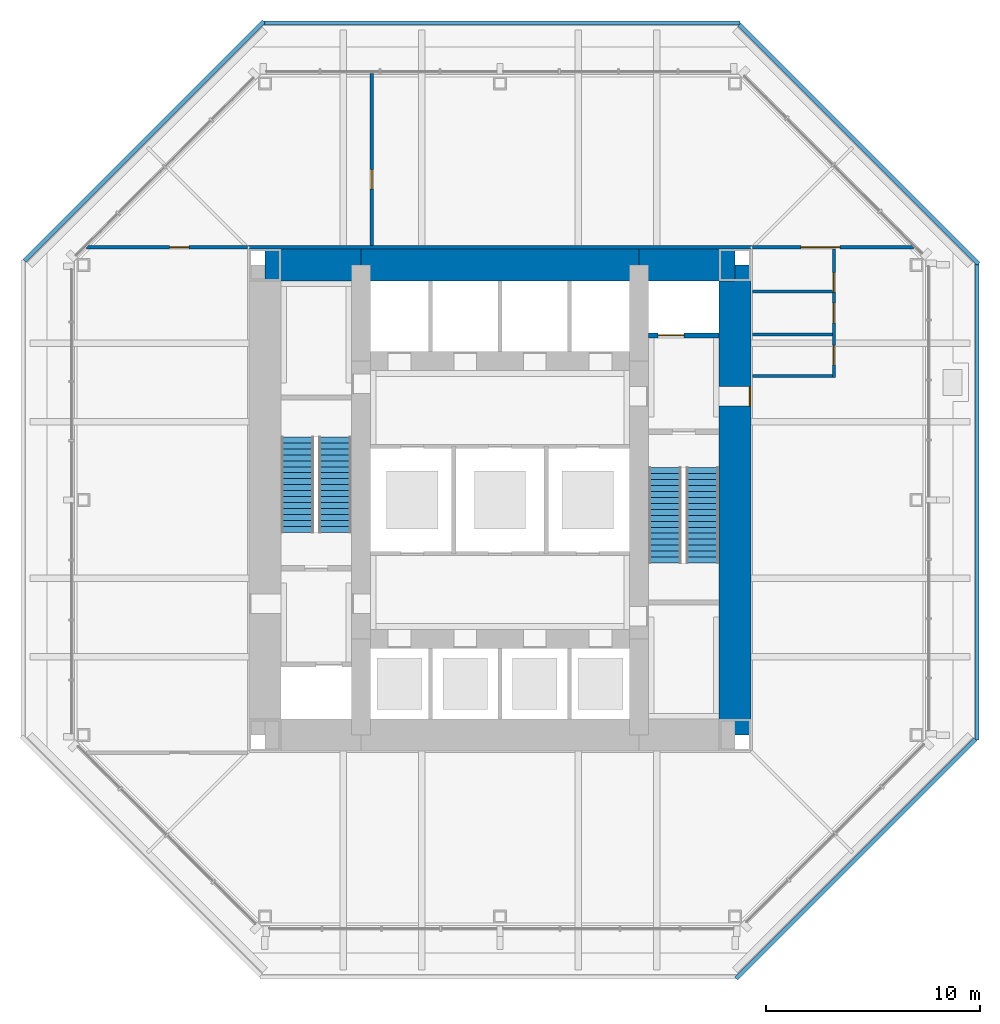
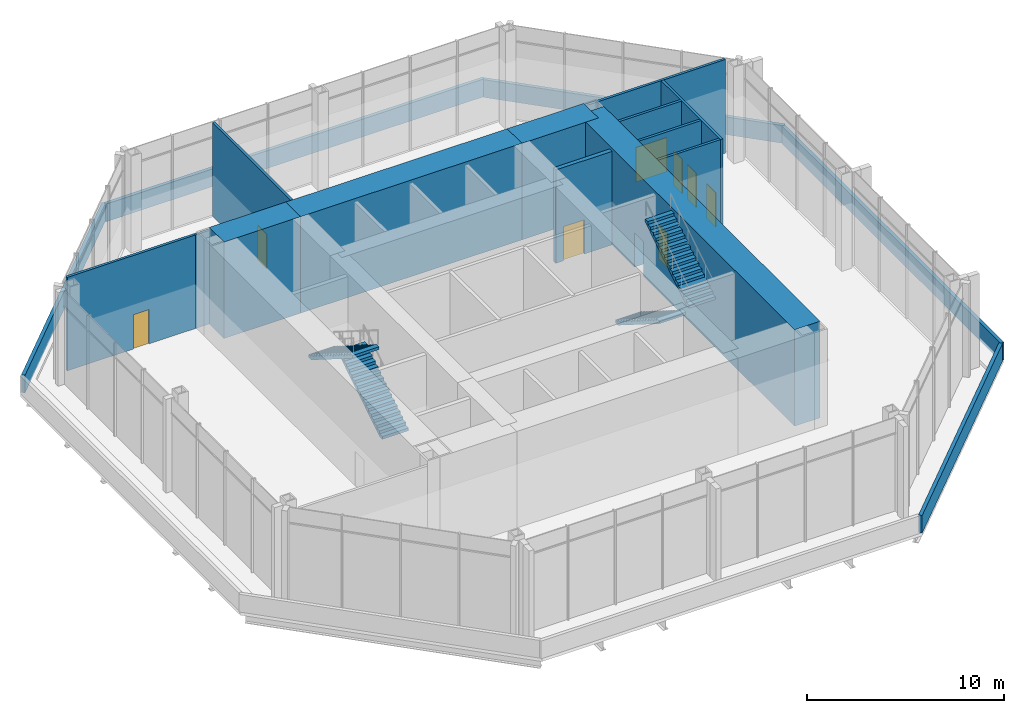
# One storey, part 8 of 10: 18 walls, 8 doors, 4 stair flights, 8 openings, 2 elements without a shape of their own.
"""IFC4 building model written with IfcOpenShell, lengths in metres."""

from ifc_helpers import new_model, si_unit, direction, frame, frame_2d, origin, place, context, subcontext, project, spatial, polyline, rectangle, outline, extrude, material, layer, layer_set, type_object, element, fill, aggregate, save


model = new_model("IFC4")

# Units and contexts
model_context = context("Model", 3, precision=1e-05, world=origin(), true_north=direction((0.0, 1.0)))
body_context = subcontext(model_context, "Body", "Model", "MODEL_VIEW")
ifc_project = project(units=[si_unit("LENGTHUNIT", "METRE"), si_unit("AREAUNIT", "SQUARE_METRE"), si_unit("VOLUMEUNIT", "CUBIC_METRE"), si_unit("PLANEANGLEUNIT", "RADIAN"), si_unit("MASSUNIT", "GRAM", prefix="KILO")], contexts=[model_context])

# Site, building, storey
site_placement = place(None, origin())
site = spatial("IfcSite", under=ifc_project, at=site_placement, CompositionType="ELEMENT")
building_placement = place(site_placement, origin())
building = spatial("IfcBuilding", under=site, at=building_placement, Name="Trevanion Tower", CompositionType="ELEMENT")
storey_placement = place(building_placement, frame((0.0, 0.0, 184.699951171875)))
storey = spatial("IfcBuildingStorey", under=building, at=storey_placement, Name="L43", CompositionType="ELEMENT", Elevation=184.699951171875)

# Wall, opening, door
ifc_material_1 = material(Name="Concrete 10,000 psi", Category="concrete")
ifc_layer_1 = layer(ifc_material_1, 1.5)
ifc_layer_set_1 = layer_set([ifc_layer_1], Name="CW1 core wall 1500")
wall_type_1 = type_object("IfcWallType", Name="CW1 core wall 1500", PredefinedType="SHEAR", material=ifc_layer_set_1)
wall_1_placement = place(storey_placement, frame((11.0, -11.0, 0.0), z_axis=(0.0, 0.0, 1.0), x_axis=(0.0, 1.0, 0.0)))
wall_1 = element("IfcWall", 1, at=wall_1_placement, inside=storey, type_object=wall_type_1, Name="CW1 CE L43", PredefinedType="SHEAR", context=body_context, shape_type="SweptSolid", body=[
    extrude(rectangle(XDim=22.0, YDim=1.5, at=frame_2d((11.0, 0.0))), origin(), (0.0, 0.0, 1.0), 6.0),
])
opening_1_placement = place(wall_1_placement, frame((15.392578125, 0.0, 0.0)))
opening_1 = element("IfcOpeningElement", 2, at=opening_1_placement, cuts=wall_1, Name="Opening 43-001", PredefinedType="OPENING", context=body_context, shape_type="SweptSolid", body=[
    extrude(rectangle(XDim=0.9150390625, YDim=2.134033203125, at=frame_2d((0.45751953125, 1.06689453125))), frame((0.0, 0.760009765625, 0.0), z_axis=(0.0, -1.0, 0.0), x_axis=(1.0, 0.0, 0.0)), (0.0, 0.0, 1.0), 1.52001953125),
])
ifc_material_2 = material(Name="Hollow metal, fire rated", Category="steel")
door_type_1 = type_object("IfcDoorType", Name="D3 fire lift lobby door", OperationType="SINGLE_SWING_RIGHT", PredefinedType="DOOR", material=ifc_material_2)
door_1_placement = place(opening_1_placement, origin())
door_1 = element("IfcDoor", 3, at=door_1_placement, inside=storey, type_object=door_type_1, Name="Door 43-001", OperationType="SINGLE_SWING_RIGHT", OverallHeight=2.134033203125, OverallWidth=0.9150390625, PredefinedType="DOOR", context=body_context, shape_type="SweptSolid", body=[
    extrude(rectangle(XDim=0.9150390625, YDim=2.134033203125, at=frame_2d((0.45751953125, 1.06689453125))), frame((0.0, -0.6748046875, 0.0), z_axis=(0.0, -1.0, 0.0), x_axis=(1.0, 0.0, 0.0)), (0.0, 0.0, 1.0), 0.050048828125),
])
fill(opening_1, door_1)

# Walls
wall_2_placement = place(storey_placement, frame((11.0, 11.0, 0.0), z_axis=(0.0, 0.0, 1.0), x_axis=(-1.0, 0.0, 0.0)))
element("IfcWall", 4, at=wall_2_placement, inside=storey, type_object=wall_type_1, Name="CW1 CN1 L43", PredefinedType="SHEAR", context=body_context, shape_type="SweptSolid", body=[
    extrude(rectangle(XDim=4.5, YDim=1.5, at=frame_2d((2.25, 0.0))), origin(), (0.0, 0.0, 1.0), 6.0),
])
wall_3_placement = place(storey_placement, frame((6.5, 11.0, 0.0), z_axis=(0.0, 0.0, 1.0), x_axis=(-1.0, 0.0, 0.0)))
element("IfcWall", 5, at=wall_3_placement, inside=storey, type_object=wall_type_1, Name="CW1 CN2 L43", PredefinedType="SHEAR", context=body_context, shape_type="SweptSolid", body=[
    extrude(rectangle(XDim=13.0, YDim=1.5, at=frame_2d((6.5, 0.0))), origin(), (0.0, 0.0, 1.0), 6.0),
])
wall_4_placement = place(storey_placement, frame((-6.5, 11.0, 0.0), z_axis=(0.0, 0.0, 1.0), x_axis=(-1.0, 0.0, 0.0)))
element("IfcWall", 6, at=wall_4_placement, inside=storey, type_object=wall_type_1, Name="CW1 CN3 L43", PredefinedType="SHEAR", context=body_context, shape_type="SweptSolid", body=[
    extrude(rectangle(XDim=4.5, YDim=1.5, at=frame_2d((2.25, 0.0))), origin(), (0.0, 0.0, 1.0), 6.0),
])
ifc_material_3 = material(Name="Reinforced concrete parapet faced in bronze metal coping", Category="concrete")
ifc_layer_2 = layer(ifc_material_3, 0.199951171875)
ifc_layer_set_2 = layer_set([ifc_layer_2], Name="PP1 parapet 200")
wall_type_2 = type_object("IfcWallType", Name="PP1 parapet 200", PredefinedType="PARAPET", material=ifc_layer_set_2)
for number, where, z_axis, x_axis, name in (
    (7, (22.249267578125, -11.203369140625, 0.0), (0.0, 0.0, 1.0), (-0.707114496692, -0.707099065597, 0.0), "PP1 L43 1"),
    (8, (-22.249267578125, 11.203369140625, 0.0), (0.0, 0.0, 1.0), (0.707114496692, 0.707099065597, 0.0), "PP1 L43 5"),
):
    element("IfcWall", number, at=place(storey_placement, frame(where, z_axis=z_axis, x_axis=x_axis)), inside=storey, type_object=wall_type_2, Name=name, PredefinedType="PARAPET", context=body_context, shape_type="SweptSolid", body=[
        extrude(rectangle(XDim=15.8212890625, YDim=0.199951171875, at=frame_2d((7.91064453125, 0.0))), origin(), (0.0, 0.0, 1.0), 1.10009765625),
    ])
wall_5_placement = place(storey_placement, frame((-11.032470703125, 22.320068359375, 0.0), z_axis=(0.0, 0.0, 1.0), x_axis=(1.0, 0.0, 0.0)))
element("IfcWall", 9, at=wall_5_placement, inside=storey, type_object=wall_type_2, Name="PP1 L43 6", PredefinedType="PARAPET", context=body_context, shape_type="SweptSolid", body=[
    extrude(rectangle(XDim=22.264892578125, YDim=0.199951171875, at=frame_2d((11.13232421875, 0.0))), origin(), (0.0, 0.0, 1.0), 1.10009765625),
])
wall_6_placement = place(storey_placement, frame((11.203369140625, 22.249267578125, 0.0), z_axis=(0.0, 0.0, 1.0), x_axis=(0.707099065597, -0.707114496692, 0.0)))
element("IfcWall", 10, at=wall_6_placement, inside=storey, type_object=wall_type_2, Name="PP1 L43 7", PredefinedType="PARAPET", context=body_context, shape_type="SweptSolid", body=[
    extrude(rectangle(XDim=15.8212890625, YDim=0.199951171875, at=frame_2d((7.91064453125, 0.0))), origin(), (0.0, 0.0, 1.0), 1.10009765625),
])
wall_7_placement = place(storey_placement, frame((22.320068359375, 11.032470703125, 0.0), z_axis=(0.0, 0.0, 1.0), x_axis=(0.0, -1.0, 0.0)))
element("IfcWall", 11, at=wall_7_placement, inside=storey, type_object=wall_type_2, Name="PP1 L43 8", PredefinedType="PARAPET", context=body_context, shape_type="SweptSolid", body=[
    extrude(rectangle(XDim=22.264892578125, YDim=0.199951171875, at=frame_2d((11.13232421875, 0.0))), origin(), (0.0, 0.0, 1.0), 1.10009765625),
])

# Wall, opening, door
ifc_material_4 = material(Name="Gypsum board on steel studs", Category="steel")
ifc_layer_3 = layer(ifc_material_4, 0.14990234375)
ifc_layer_set_3 = layer_set([ifc_layer_3], Name="PT1 partition 150")
wall_type_3 = type_object("IfcWallType", Name="PT1 partition 150", PredefinedType="PARTITIONING", material=ifc_layer_set_3)
wall_8_placement = place(storey_placement, frame((11.824951171875, 11.824951171875, 0.0), z_axis=(0.0, 0.0, 1.0), x_axis=(1.0, 0.0, 0.0)))
wall_8 = element("IfcWall", 12, at=wall_8_placement, inside=storey, type_object=wall_type_3, Name="PT1 L43 HOE2", PredefinedType="PARTITIONING", context=body_context, shape_type="SweptSolid", body=[
    extrude(rectangle(XDim=7.512939453125, YDim=0.14990234375, at=frame_2d((3.75634765625, 0.0))), origin(), (0.0, 0.0, 1.0), 5.81005859375),
])
opening_2_placement = place(wall_8_placement, frame((2.260009765625, 0.0, 0.0)))
opening_2 = element("IfcOpeningElement", 13, at=opening_2_placement, cuts=wall_8, Name="Opening 43-025", PredefinedType="OPENING", context=body_context, shape_type="SweptSolid", body=[
    extrude(rectangle(XDim=1.830078125, YDim=2.134033203125, at=frame_2d((0.9150390625, 1.06689453125))), frame((0.0, 0.0849609375, 0.0), z_axis=(0.0, -1.0, 0.0), x_axis=(1.0, 0.0, 0.0)), (0.0, 0.0, 1.0), 0.169921875),
])
ifc_material_5 = material(Name="Timber veneer, solid core", Category="wood")
door_type_2 = type_object("IfcDoorType", Name="D20 lounge double door", OperationType="DOUBLE_DOOR_DOUBLE_SWING", PredefinedType="DOOR", material=ifc_material_5)
door_2_placement = place(opening_2_placement, origin())
door_2 = element("IfcDoor", 14, at=door_2_placement, inside=storey, type_object=door_type_2, Name="Door 43-025", OperationType="DOUBLE_DOOR_DOUBLE_SWING", OverallHeight=2.134033203125, OverallWidth=1.830078125, PredefinedType="DOOR", context=body_context, shape_type="SweptSolid", body=[
    extrude(rectangle(XDim=1.830078125, YDim=2.134033203125, at=frame_2d((0.9150390625, 1.06689453125))), frame((0.0, 0.02490234375, 0.0), z_axis=(0.0, -1.0, 0.0), x_axis=(1.0, 0.0, 0.0)), (0.0, 0.0, 1.0), 0.050048828125),
])
fill(opening_2, door_2)

wall_9_placement = place(storey_placement, frame((-11.824951171875, 11.824951171875, 0.0), z_axis=(0.0, 0.0, 1.0), x_axis=(-1.0, 0.0, 0.0)))
wall_9 = element("IfcWall", 15, at=wall_9_placement, inside=storey, type_object=wall_type_3, Name="PT1 L43 HOW1", PredefinedType="PARTITIONING", context=body_context, shape_type="SweptSolid", body=[
    extrude(rectangle(XDim=7.512939453125, YDim=0.14990234375, at=frame_2d((3.75634765625, 0.0))), origin(), (0.0, 0.0, 1.0), 5.81005859375),
])
opening_3_placement = place(wall_9_placement, frame((2.717529296875, 0.0, 0.0)))
opening_3 = element("IfcOpeningElement", 16, at=opening_3_placement, cuts=wall_9, Name="Opening 43-026", PredefinedType="OPENING", context=body_context, shape_type="SweptSolid", body=[
    extrude(rectangle(XDim=0.9150390625, YDim=2.134033203125, at=frame_2d((0.45751953125, 1.06689453125))), frame((0.0, 0.0849609375, 0.0), z_axis=(0.0, -1.0, 0.0), x_axis=(1.0, 0.0, 0.0)), (0.0, 0.0, 1.0), 0.169921875),
])
ifc_material_6 = material(Name="Timber veneer, solid core", Category="wood")
door_type_3 = type_object("IfcDoorType", Name="D1 office and meeting room door", OperationType="SINGLE_SWING_LEFT", PredefinedType="DOOR", material=ifc_material_6)
door_3_placement = place(opening_3_placement, origin())
door_3 = element("IfcDoor", 17, at=door_3_placement, inside=storey, type_object=door_type_3, Name="Door 43-026", OperationType="SINGLE_SWING_LEFT", OverallHeight=2.134033203125, OverallWidth=0.9150390625, PredefinedType="DOOR", context=body_context, shape_type="SweptSolid", body=[
    extrude(rectangle(XDim=0.9150390625, YDim=2.134033203125, at=frame_2d((0.45751953125, 1.06689453125))), frame((0.0, 0.02490234375, 0.0), z_axis=(0.0, -1.0, 0.0), x_axis=(1.0, 0.0, 0.0)), (0.0, 0.0, 1.0), 0.050048828125),
])
fill(opening_3, door_3)

# Wall
wall_10_placement = place(storey_placement, frame((-11.824951171875, 11.824951171875, 0.0), z_axis=(0.0, 0.0, 1.0), x_axis=(1.0, 0.0, 0.0)))
element("IfcWall", 18, at=wall_10_placement, inside=storey, type_object=wall_type_3, Name="PT1 L43 HOR1", PredefinedType="PARTITIONING", context=body_context, shape_type="SweptSolid", body=[
    extrude(rectangle(XDim=23.64990234375, YDim=0.14990234375, at=frame_2d((11.824951171875, 0.0))), origin(), (0.0, 0.0, 1.0), 5.81005859375),
])

# Wall, openings, doors
wall_11_placement = place(storey_placement, frame((15.625, 5.72509765625, 0.0), z_axis=(0.0, 0.0, 1.0), x_axis=(0.0, 1.0, 0.0)))
wall_11 = element("IfcWall", 19, at=wall_11_placement, inside=storey, type_object=wall_type_3, Name="PT1 L43 GT0", PredefinedType="PARTITIONING", context=body_context, shape_type="SweptSolid", body=[
    extrude(rectangle(XDim=6.02490234375, YDim=0.14990234375, at=frame_2d((3.012451171875, 0.0))), origin(), (0.0, 0.0, 1.0), 5.81005859375),
])
opening_4_placement = place(wall_11_placement, frame((0.592529296875, 0.0, 0.0)))
opening_4 = element("IfcOpeningElement", 20, at=opening_4_placement, cuts=wall_11, Name="Opening 43-028", PredefinedType="OPENING", context=body_context, shape_type="SweptSolid", body=[
    extrude(rectangle(XDim=0.9150390625, YDim=2.134033203125, at=frame_2d((0.45751953125, 1.06689453125))), frame((0.0, 0.0849609375, 0.0), z_axis=(0.0, -1.0, 0.0), x_axis=(1.0, 0.0, 0.0)), (0.0, 0.0, 1.0), 0.169921875),
])
opening_5_placement = place(wall_11_placement, frame((2.5673828125, 0.0, 0.0)))
opening_5 = element("IfcOpeningElement", 21, at=opening_5_placement, cuts=wall_11, Name="Opening 43-029", PredefinedType="OPENING", context=body_context, shape_type="SweptSolid", body=[
    extrude(rectangle(XDim=0.9150390625, YDim=2.134033203125, at=frame_2d((0.45751953125, 1.06689453125))), frame((0.0, 0.0849609375, 0.0), z_axis=(0.0, -1.0, 0.0), x_axis=(1.0, 0.0, 0.0)), (0.0, 0.0, 1.0), 0.169921875),
])
opening_6_placement = place(wall_11_placement, frame((4.0048828125, 0.0, 0.0)))
opening_6 = element("IfcOpeningElement", 22, at=opening_6_placement, cuts=wall_11, Name="Opening 43-030", PredefinedType="OPENING", context=body_context, shape_type="SweptSolid", body=[
    extrude(rectangle(XDim=0.9150390625, YDim=2.134033203125, at=frame_2d((0.45751953125, 1.06689453125))), frame((0.0, 0.0849609375, 0.0), z_axis=(0.0, -1.0, 0.0), x_axis=(1.0, 0.0, 0.0)), (0.0, 0.0, 1.0), 0.169921875),
])
ifc_material_7 = material(Name="Plastic laminate on solid core", Category="wood")
door_type_4 = type_object("IfcDoorType", Name="D4 toilet door", OperationType="SINGLE_SWING_LEFT", PredefinedType="DOOR", material=ifc_material_7)
door_4_placement = place(opening_4_placement, origin())
door_4 = element("IfcDoor", 23, at=door_4_placement, inside=storey, type_object=door_type_4, Name="Door 43-028", OperationType="SINGLE_SWING_LEFT", OverallHeight=2.134033203125, OverallWidth=0.9150390625, PredefinedType="DOOR", context=body_context, shape_type="SweptSolid", body=[
    extrude(rectangle(XDim=0.9150390625, YDim=2.134033203125, at=frame_2d((0.45751953125, 1.06689453125))), frame((0.0, 0.02490234375, 0.0), z_axis=(0.0, -1.0, 0.0), x_axis=(1.0, 0.0, 0.0)), (0.0, 0.0, 1.0), 0.050048828125),
])
fill(opening_4, door_4)
door_5_placement = place(opening_5_placement, origin())
door_5 = element("IfcDoor", 24, at=door_5_placement, inside=storey, type_object=door_type_4, Name="Door 43-029", OperationType="SINGLE_SWING_LEFT", OverallHeight=2.134033203125, OverallWidth=0.9150390625, PredefinedType="DOOR", context=body_context, shape_type="SweptSolid", body=[
    extrude(rectangle(XDim=0.9150390625, YDim=2.134033203125, at=frame_2d((0.45751953125, 1.06689453125))), frame((0.0, 0.02490234375, 0.0), z_axis=(0.0, -1.0, 0.0), x_axis=(1.0, 0.0, 0.0)), (0.0, 0.0, 1.0), 0.050048828125),
])
fill(opening_5, door_5)
door_6_placement = place(opening_6_placement, frame((0.9150390625, 0.0, 0.0), z_axis=(0.0, 0.0, 1.0), x_axis=(-1.0, 0.0, 0.0)))
door_6 = element("IfcDoor", 25, at=door_6_placement, inside=storey, type_object=door_type_4, Name="Door 43-030", OperationType="SINGLE_SWING_LEFT", OverallHeight=2.134033203125, OverallWidth=0.9150390625, PredefinedType="DOOR", context=body_context, shape_type="SweptSolid", body=[
    extrude(rectangle(XDim=0.9150390625, YDim=2.134033203125, at=frame_2d((0.45751953125, 1.06689453125))), frame((0.0, 0.02490234375, 0.0), z_axis=(0.0, -1.0, 0.0), x_axis=(1.0, 0.0, 0.0)), (0.0, 0.0, 1.0), 0.050048828125),
])
fill(opening_6, door_6)

# Walls
for number, where, z_axis, x_axis, name in (
    (26, (11.824951171875, 5.800048828125, 0.0), (0.0, 0.0, 1.0), (1.0, 0.0, 0.0), "PT1 L43 GT1"),
    (27, (11.824951171875, 7.75, 0.0), (0.0, 0.0, 1.0), (1.0, 0.0, 0.0), "PT1 L43 GT2"),
    (28, (11.824951171875, 9.75, 0.0), (0.0, 0.0, 1.0), (1.0, 0.0, 0.0), "PT1 L43 GT3"),
):
    element("IfcWall", number, at=place(storey_placement, frame(where, z_axis=z_axis, x_axis=x_axis)), inside=storey, type_object=wall_type_3, Name=name, PredefinedType="PARTITIONING", context=body_context, shape_type="SweptSolid", body=[
        extrude(rectangle(XDim=3.72509765625, YDim=0.14990234375, at=frame_2d((1.862548828125, 0.0))), origin(), (0.0, 0.0, 1.0), 5.81005859375),
    ])

# Wall, opening, door
wall_12_placement = place(storey_placement, frame((-6.0, 11.89990234375, 0.0), z_axis=(0.0, 0.0, 1.0), x_axis=(0.0, 1.0, 0.0)))
wall_12 = element("IfcWall", 29, at=wall_12_placement, inside=storey, type_object=wall_type_3, Name="PT1 L43 KW1", PredefinedType="PARTITIONING", context=body_context, shape_type="SweptSolid", body=[
    extrude(rectangle(XDim=8.065185546875, YDim=0.14990234375, at=frame_2d((4.03271484375, 0.0))), origin(), (0.0, 0.0, 1.0), 5.81005859375),
])
opening_7_placement = place(wall_12_placement, frame((2.642578125, 0.0, 0.0)))
opening_7 = element("IfcOpeningElement", 30, at=opening_7_placement, cuts=wall_12, Name="Opening 43-031", PredefinedType="OPENING", context=body_context, shape_type="SweptSolid", body=[
    extrude(rectangle(XDim=0.9150390625, YDim=2.134033203125, at=frame_2d((0.45751953125, 1.06689453125))), frame((0.0, 0.0849609375, 0.0), z_axis=(0.0, -1.0, 0.0), x_axis=(1.0, 0.0, 0.0)), (0.0, 0.0, 1.0), 0.169921875),
])
door_7_placement = place(opening_7_placement, origin())
door_7 = element("IfcDoor", 31, at=door_7_placement, inside=storey, type_object=door_type_3, Name="Door 43-031", OperationType="SINGLE_SWING_LEFT", OverallHeight=2.134033203125, OverallWidth=0.9150390625, PredefinedType="DOOR", context=body_context, shape_type="SweptSolid", body=[
    extrude(rectangle(XDim=0.9150390625, YDim=2.134033203125, at=frame_2d((0.45751953125, 1.06689453125))), frame((0.0, 0.02490234375, 0.0), z_axis=(0.0, -1.0, 0.0), x_axis=(1.0, 0.0, 0.0)), (0.0, 0.0, 1.0), 0.050048828125),
])
fill(opening_7, door_7)

ifc_material_8 = material(Name="Concrete masonry, grouted, two-hour", Category="masonry")
ifc_layer_4 = layer(ifc_material_8, 0.25)
ifc_layer_set_4 = layer_set([ifc_layer_4], Name="PT3 partition 250 2 HR")
wall_type_4 = type_object("IfcWallType", Name="PT3 partition 250 2 HR", PredefinedType="PARTITIONING", material=ifc_layer_set_4)
wall_13_placement = place(storey_placement, frame((6.949951171875, 7.699951171875, 0.0), z_axis=(0.0, 0.0, 1.0), x_axis=(1.0, 0.0, 0.0)))
wall_13 = element("IfcWall", 32, at=wall_13_placement, inside=storey, type_object=wall_type_4, Name="PT3 L43 EP3", PredefinedType="PARTITIONING", context=body_context, shape_type="SweptSolid", body=[
    extrude(rectangle(XDim=3.300048828125, YDim=0.25, at=frame_2d((1.64990234375, 0.0))), origin(), (0.0, 0.0, 1.0), 5.81005859375),
])
opening_8_placement = place(wall_13_placement, frame((0.449951171875, 0.0, 0.0)))
opening_8 = element("IfcOpeningElement", 33, at=opening_8_placement, cuts=wall_13, Name="Opening 43-007", PredefinedType="OPENING", context=body_context, shape_type="SweptSolid", body=[
    extrude(rectangle(XDim=1.218994140625, YDim=2.134033203125, at=frame_2d((0.609375, 1.06689453125))), frame((0.0, 0.135009765625, 0.0), z_axis=(0.0, -1.0, 0.0), x_axis=(1.0, 0.0, 0.0)), (0.0, 0.0, 1.0), 0.27001953125),
])
ifc_material_9 = material(Name="Stainless steel, fire rated", Category="steel")
door_type_5 = type_object("IfcDoorType", Name="LD2 fire service lift landing door", OperationType="SLIDING_TO_LEFT", PredefinedType="DOOR", material=ifc_material_9)
door_8_placement = place(opening_8_placement, origin())
door_8 = element("IfcDoor", 34, at=door_8_placement, inside=storey, type_object=door_type_5, Name="Door 43-007", OperationType="SLIDING_TO_LEFT", OverallHeight=2.134033203125, OverallWidth=1.218994140625, PredefinedType="DOOR", context=body_context, shape_type="SweptSolid", body=[
    extrude(rectangle(XDim=1.218994140625, YDim=2.134033203125, at=frame_2d((0.609375, 1.06689453125))), frame((0.0, 0.02490234375, 0.0), z_axis=(0.0, -1.0, 0.0), x_axis=(1.0, 0.0, 0.0)), (0.0, 0.0, 1.0), 0.050048828125),
])
fill(opening_8, door_8)

# Stair, stair flights
ifc_material_10 = material(Name="Concrete 5,000 psi on steel stringers", Category="concrete")
stair_type = type_object("IfcStairType", Name="ST stair", PredefinedType="HALF_TURN_STAIR", material=ifc_material_10)
stair_1_placement = place(storey_placement, origin())
stair_1 = element("IfcStair", 35, at=stair_1_placement, inside=storey, type_object=stair_type, Name="ST1 L43", PredefinedType="HALF_TURN_STAIR")
ifc_material_11 = material(Name="Concrete 5,000 psi in steel pan", Category="concrete")
stair_flight_type = type_object("IfcStairFlightType", Name="STF stair flight", PredefinedType="STRAIGHT", material=ifc_material_11)
stair_flight_1_placement = place(storey_placement, frame((7.72509765625, 1.52490234375, 0.0), z_axis=(0.0, 0.0, 1.0), x_axis=(0.0, -1.0, 0.0)))
stair_flight_1 = element("IfcStairFlight", 36, at=stair_flight_1_placement, type_object=stair_flight_type, Name="ST1 flight 1", NumberOfRisers=17, NumberOfTreads=16, PredefinedType="STRAIGHT", RiserHeight=0.176470588, TreadLength=0.28, context=body_context, shape_type="SweptSolid", body=[
    extrude(outline(polyline([(0.0, 0.0), (0.0, 0.176513671875), (0.280029296875, 0.176513671875), (0.280029296875, 0.35302734375), (0.56005859375, 0.35302734375), (0.56005859375, 0.529296875), (0.840087890625, 0.529296875), (0.840087890625, 0.705810546875), (1.1201171875, 0.705810546875), (1.1201171875, 0.88232421875), (1.39990234375, 0.88232421875), (1.39990234375, 1.058837890625), (1.679931640625, 1.058837890625), (1.679931640625, 1.2353515625), (1.9599609375, 1.2353515625), (1.9599609375, 1.411865234375), (2.239990234375, 1.411865234375), (2.239990234375, 1.588134765625), (2.52001953125, 1.588134765625), (2.52001953125, 1.7646484375), (2.800048828125, 1.7646484375), (2.800048828125, 1.941162109375), (3.080078125, 1.941162109375), (3.080078125, 2.11767578125), (3.360107421875, 2.11767578125), (3.360107421875, 2.294189453125), (3.639892578125, 2.294189453125), (3.639892578125, 2.470703125), (3.919921875, 2.470703125), (3.919921875, 2.64697265625), (4.199951171875, 2.64697265625), (4.199951171875, 2.823486328125), (4.47998046875, 2.823486328125), (4.47998046875, 3.0), (4.47998046875, 2.646240234375), (0.28125, 0.0), (0.0, 0.0)])), frame((0.0, 0.77490234375, 0.0), z_axis=(0.0, -1.0, 0.0), x_axis=(1.0, 0.0, 0.0)), (0.0, 0.0, 1.0), 1.550048828125),
])
stair_flight_2_placement = place(storey_placement, frame((9.47509765625, -2.955078125, 3.0), z_axis=(0.0, 0.0, 1.0), x_axis=(0.0, 1.0, 0.0)))
stair_flight_2 = element("IfcStairFlight", 37, at=stair_flight_2_placement, type_object=stair_flight_type, Name="ST1 flight 2", NumberOfRisers=17, NumberOfTreads=16, PredefinedType="STRAIGHT", RiserHeight=0.176470588, TreadLength=0.28, context=body_context, shape_type="SweptSolid", body=[
    extrude(outline(polyline([(0.0, 0.0), (0.0, 0.176513671875), (0.280029296875, 0.176513671875), (0.280029296875, 0.35302734375), (0.56005859375, 0.35302734375), (0.56005859375, 0.529296875), (0.840087890625, 0.529296875), (0.840087890625, 0.705810546875), (1.1201171875, 0.705810546875), (1.1201171875, 0.88232421875), (1.39990234375, 0.88232421875), (1.39990234375, 1.058837890625), (1.679931640625, 1.058837890625), (1.679931640625, 1.2353515625), (1.9599609375, 1.2353515625), (1.9599609375, 1.411865234375), (2.239990234375, 1.411865234375), (2.239990234375, 1.588134765625), (2.52001953125, 1.588134765625), (2.52001953125, 1.7646484375), (2.800048828125, 1.7646484375), (2.800048828125, 1.941162109375), (3.080078125, 1.941162109375), (3.080078125, 2.11767578125), (3.360107421875, 2.11767578125), (3.360107421875, 2.294189453125), (3.639892578125, 2.294189453125), (3.639892578125, 2.470703125), (3.919921875, 2.470703125), (3.919921875, 2.64697265625), (4.199951171875, 2.64697265625), (4.199951171875, 2.823486328125), (4.47998046875, 2.823486328125), (4.47998046875, 3.0), (4.47998046875, 2.646240234375), (0.28125, 0.0), (0.0, 0.0)])), frame((0.0, 0.77490234375, 0.0), z_axis=(0.0, -1.0, 0.0), x_axis=(1.0, 0.0, 0.0)), (0.0, 0.0, 1.0), 1.550048828125),
])
aggregate(stair_1, [stair_flight_1, stair_flight_2])

stair_2_placement = place(storey_placement, origin())
stair_2 = element("IfcStair", 38, at=stair_2_placement, inside=storey, type_object=stair_type, Name="ST2 L43", PredefinedType="HALF_TURN_STAIR")
stair_flight_3_placement = place(storey_placement, frame((-7.72509765625, -1.52490234375, 0.0), z_axis=(0.0, 0.0, 1.0), x_axis=(0.0, 1.0, 0.0)))
stair_flight_3 = element("IfcStairFlight", 39, at=stair_flight_3_placement, type_object=stair_flight_type, Name="ST2 flight 1", NumberOfRisers=17, NumberOfTreads=16, PredefinedType="STRAIGHT", RiserHeight=0.176470588, TreadLength=0.28, context=body_context, shape_type="SweptSolid", body=[
    extrude(outline(polyline([(0.0, 0.0), (0.0, 0.176513671875), (0.280029296875, 0.176513671875), (0.280029296875, 0.35302734375), (0.56005859375, 0.35302734375), (0.56005859375, 0.529296875), (0.840087890625, 0.529296875), (0.840087890625, 0.705810546875), (1.1201171875, 0.705810546875), (1.1201171875, 0.88232421875), (1.39990234375, 0.88232421875), (1.39990234375, 1.058837890625), (1.679931640625, 1.058837890625), (1.679931640625, 1.2353515625), (1.9599609375, 1.2353515625), (1.9599609375, 1.411865234375), (2.239990234375, 1.411865234375), (2.239990234375, 1.588134765625), (2.52001953125, 1.588134765625), (2.52001953125, 1.7646484375), (2.800048828125, 1.7646484375), (2.800048828125, 1.941162109375), (3.080078125, 1.941162109375), (3.080078125, 2.11767578125), (3.360107421875, 2.11767578125), (3.360107421875, 2.294189453125), (3.639892578125, 2.294189453125), (3.639892578125, 2.470703125), (3.919921875, 2.470703125), (3.919921875, 2.64697265625), (4.199951171875, 2.64697265625), (4.199951171875, 2.823486328125), (4.47998046875, 2.823486328125), (4.47998046875, 3.0), (4.47998046875, 2.646240234375), (0.28125, 0.0), (0.0, 0.0)])), frame((0.0, 0.77490234375, 0.0), z_axis=(0.0, -1.0, 0.0), x_axis=(1.0, 0.0, 0.0)), (0.0, 0.0, 1.0), 1.550048828125),
])
stair_flight_4_placement = place(storey_placement, frame((-9.47509765625, 2.955078125, 3.0), z_axis=(0.0, 0.0, 1.0), x_axis=(0.0, -1.0, 0.0)))
stair_flight_4 = element("IfcStairFlight", 40, at=stair_flight_4_placement, type_object=stair_flight_type, Name="ST2 flight 2", NumberOfRisers=17, NumberOfTreads=16, PredefinedType="STRAIGHT", RiserHeight=0.176470588, TreadLength=0.28, context=body_context, shape_type="SweptSolid", body=[
    extrude(outline(polyline([(0.0, 0.0), (0.0, 0.176513671875), (0.280029296875, 0.176513671875), (0.280029296875, 0.35302734375), (0.56005859375, 0.35302734375), (0.56005859375, 0.529296875), (0.840087890625, 0.529296875), (0.840087890625, 0.705810546875), (1.1201171875, 0.705810546875), (1.1201171875, 0.88232421875), (1.39990234375, 0.88232421875), (1.39990234375, 1.058837890625), (1.679931640625, 1.058837890625), (1.679931640625, 1.2353515625), (1.9599609375, 1.2353515625), (1.9599609375, 1.411865234375), (2.239990234375, 1.411865234375), (2.239990234375, 1.588134765625), (2.52001953125, 1.588134765625), (2.52001953125, 1.7646484375), (2.800048828125, 1.7646484375), (2.800048828125, 1.941162109375), (3.080078125, 1.941162109375), (3.080078125, 2.11767578125), (3.360107421875, 2.11767578125), (3.360107421875, 2.294189453125), (3.639892578125, 2.294189453125), (3.639892578125, 2.470703125), (3.919921875, 2.470703125), (3.919921875, 2.64697265625), (4.199951171875, 2.64697265625), (4.199951171875, 2.823486328125), (4.47998046875, 2.823486328125), (4.47998046875, 3.0), (4.47998046875, 2.646240234375), (0.28125, 0.0), (0.0, 0.0)])), frame((0.0, 0.77490234375, 0.0), z_axis=(0.0, -1.0, 0.0), x_axis=(1.0, 0.0, 0.0)), (0.0, 0.0, 1.0), 1.550048828125),
])
aggregate(stair_2, [stair_flight_3, stair_flight_4])

save(model, "model.ifc")
